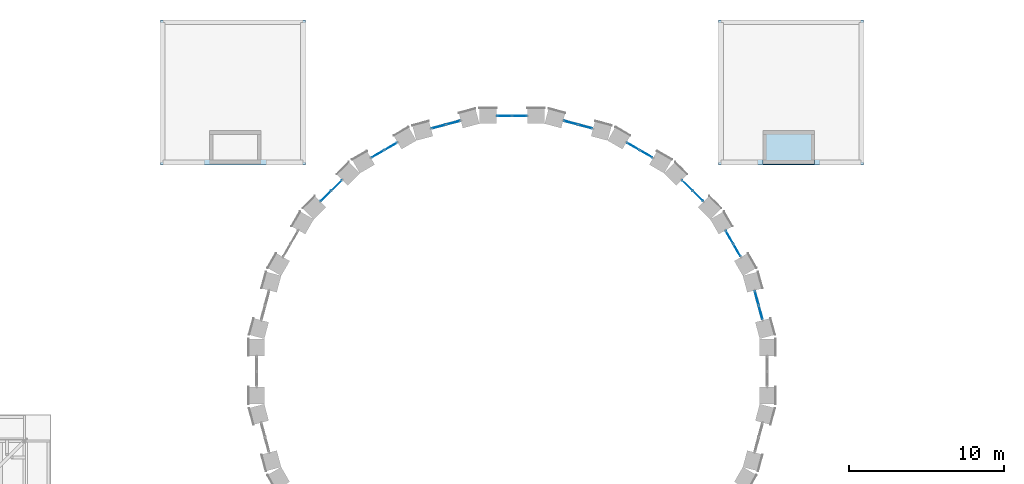
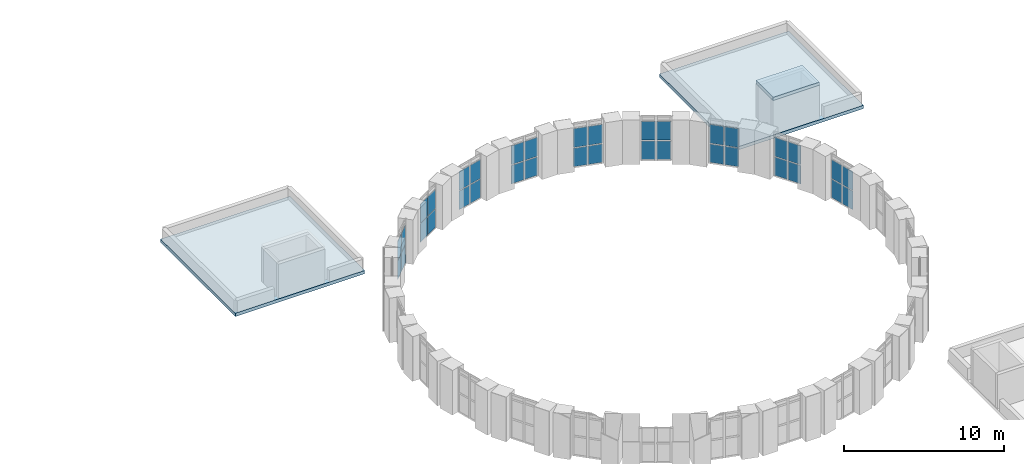
# One storey, part 21 of 42: 36 plates, 3 slabs, 9 elements without a shape of their own.
"""IFC4 building model written with IfcOpenShell, lengths in metres."""

from ifc_helpers import new_model, si_unit, direction, frame, origin, origin_2d, place, context, subcontext, project, spatial, polyline, rectangle, outline, extrude, material, layer, layer_set, type_object, element, aggregate, save


model = new_model("IFC4")

# Units and contexts
model_context = context("Model", 3, precision=1e-05, world=origin(), true_north=direction((0.0, 1.0)))
body_context = subcontext(model_context, "Body", "Model", "MODEL_VIEW")
ifc_project = project(units=[si_unit("LENGTHUNIT", "METRE"), si_unit("AREAUNIT", "SQUARE_METRE"), si_unit("VOLUMEUNIT", "CUBIC_METRE"), si_unit("PLANEANGLEUNIT", "RADIAN"), si_unit("MASSUNIT", "GRAM", prefix="KILO")], contexts=[model_context])

# Site, building, storey
site_placement = place(None, origin())
site = spatial("IfcSite", under=ifc_project, at=site_placement, CompositionType="ELEMENT")
building_placement = place(site_placement, origin())
building = spatial("IfcBuilding", under=site, at=building_placement, Name="Golden Quay Civic Hall", CompositionType="ELEMENT")
storey_placement = place(building_placement, frame((0.0, 0.0, 22.800048828125)))
storey = spatial("IfcBuildingStorey", under=building, at=storey_placement, Name="L05", CompositionType="ELEMENT", Elevation=22.800048828125)

# Slabs
ifc_material_1 = material(Name="Concrete C40/50", Category="concrete")
ifc_layer_1 = layer(ifc_material_1, 0.25)
ifc_layer_set_1 = layer_set([ifc_layer_1], Name="Core roof slab 250")
slab_type = type_object("IfcSlabType", Name="Core roof slab 250", PredefinedType="ROOF", material=ifc_layer_set_1)
slab_1_placement = place(storey_placement, frame((0.0, 0.0, -0.25)))
element("IfcSlab", 1, at=slab_1_placement, inside=storey, type_object=slab_type, Name="Core roof slab NW", PredefinedType="ROOF", context=body_context, shape_type="SweptSolid", body=[
    extrude(outline(polyline([(62.800048828125, 98.85009765625), (72.14990234375, 98.85009765625), (72.14990234375, 108.199951171875), (62.800048828125, 108.199951171875), (62.800048828125, 98.85009765625)])), origin(), (0.0, 0.0, 1.0), 0.25),
])
slab_2_placement = place(storey_placement, frame((0.0, 0.0, -0.25)))
element("IfcSlab", 2, at=slab_2_placement, inside=storey, type_object=slab_type, Name="Core roof slab NE", PredefinedType="ROOF", context=body_context, shape_type="SweptSolid", body=[
    extrude(outline(polyline([(98.85009765625, 98.85009765625), (108.199951171875, 98.85009765625), (108.199951171875, 108.199951171875), (98.85009765625, 108.199951171875), (98.85009765625, 98.85009765625)])), origin(), (0.0, 0.0, 1.0), 0.25),
])
slab_3_placement = place(storey_placement, frame((0.0, 0.0, 2.599853515625)))
element("IfcSlab", 3, at=slab_3_placement, inside=storey, type_object=slab_type, Name="Lift overrun roof NE", PredefinedType="ROOF", context=body_context, shape_type="SweptSolid", body=[
    extrude(outline(polyline([(101.699951171875, 98.89990234375), (105.050048828125, 98.89990234375), (105.050048828125, 101.050048828125), (101.699951171875, 101.050048828125), (101.699951171875, 98.89990234375)])), origin(), (0.0, 0.0, 1.0), 0.25),
])

# Curtain wall, plates
ifc_material_2 = material(Name="Glass, laminated double glazed", Category="glass")
ifc_layer_2 = layer(ifc_material_2, 0.199951171875)
ifc_layer_set_2 = layer_set([ifc_layer_2], Name="Glazed drum clerestory curtain wall")
curtain_wall_type = type_object("IfcCurtainWallType", Name="Glazed drum clerestory curtain wall", PredefinedType="NOTDEFINED", material=ifc_layer_set_2)
curtain_wall_1_placement = place(storey_placement, origin())
curtain_wall_1 = element("IfcCurtainWall", 4, at=curtain_wall_1_placement, inside=storey, type_object=curtain_wall_type, Name="Clerestory curtain wall 1", PredefinedType="NOTDEFINED")
ifc_material_3 = material(Name="Glass, laminated double glazed", Category="glass")
ifc_layer_3 = layer(ifc_material_3, 0.028076171875)
ifc_layer_set_3 = layer_set([ifc_layer_3], Name="Double glazed curtain wall panel 28")
plate_type = type_object("IfcPlateType", Name="Double glazed curtain wall panel 28", PredefinedType="CURTAIN_PANEL", material=ifc_layer_set_3)
plate_1_placement = place(storey_placement, frame((101.563232421875, 89.302001953125, 0.35986328125), z_axis=(0.0, 0.0, 1.0), x_axis=(-0.258807731996, 0.965928857556, 0.0)))
plate_1 = element("IfcPlate", 5, at=plate_1_placement, type_object=plate_type, Name="CW5 panel 1.1", PredefinedType="CURTAIN_PANEL", context=body_context, shape_type="SweptSolid", body=[
    extrude(rectangle(XDim=0.909912109375, YDim=0.028076171875, at=origin_2d()), origin(), (0.0, 0.0, 1.0), 1.409912109375),
])
plate_2_placement = place(storey_placement, frame((101.563232421875, 89.302001953125, 1.830078125), z_axis=(0.0, 0.0, 1.0), x_axis=(-0.258807731996, 0.965928857556, 0.0)))
plate_2 = element("IfcPlate", 6, at=plate_2_placement, type_object=plate_type, Name="CW5 panel 1.2", PredefinedType="CURTAIN_PANEL", context=body_context, shape_type="SweptSolid", body=[
    extrude(rectangle(XDim=0.909912109375, YDim=0.028076171875, at=origin_2d()), origin(), (0.0, 0.0, 1.0), 1.43994140625),
])
plate_3_placement = place(storey_placement, frame((101.312255859375, 90.239013671875, 0.35986328125), z_axis=(0.0, 0.0, 1.0), x_axis=(-0.258807731996, 0.965928857556, 0.0)))
plate_3 = element("IfcPlate", 7, at=plate_3_placement, type_object=plate_type, Name="CW5 panel 2.1", PredefinedType="CURTAIN_PANEL", context=body_context, shape_type="SweptSolid", body=[
    extrude(rectangle(XDim=0.909912109375, YDim=0.028076171875, at=origin_2d()), origin(), (0.0, 0.0, 1.0), 1.409912109375),
])
plate_4_placement = place(storey_placement, frame((101.312255859375, 90.239013671875, 1.830078125), z_axis=(0.0, 0.0, 1.0), x_axis=(-0.258807731996, 0.965928857556, 0.0)))
plate_4 = element("IfcPlate", 8, at=plate_4_placement, type_object=plate_type, Name="CW5 panel 2.2", PredefinedType="CURTAIN_PANEL", context=body_context, shape_type="SweptSolid", body=[
    extrude(rectangle(XDim=0.909912109375, YDim=0.028076171875, at=origin_2d()), origin(), (0.0, 0.0, 1.0), 1.43994140625),
])
aggregate(curtain_wall_1, [plate_1, plate_2, plate_3, plate_4])

curtain_wall_2_placement = place(storey_placement, origin())
curtain_wall_2 = element("IfcCurtainWall", 9, at=curtain_wall_2_placement, inside=storey, type_object=curtain_wall_type, Name="Clerestory curtain wall 2", PredefinedType="NOTDEFINED")
plate_5_placement = place(storey_placement, frame((100.031982421875, 93.330078125, 0.35986328125), z_axis=(0.0, 0.0, 1.0), x_axis=(-0.500011000366, 0.866019052627, 0.0)))
plate_5 = element("IfcPlate", 10, at=plate_5_placement, type_object=plate_type, Name="CW5 panel 1.1", PredefinedType="CURTAIN_PANEL", context=body_context, shape_type="SweptSolid", body=[
    extrude(rectangle(XDim=0.909912109375, YDim=0.028076171875, at=origin_2d()), origin(), (0.0, 0.0, 1.0), 1.409912109375),
])
plate_6_placement = place(storey_placement, frame((100.031982421875, 93.330078125, 1.830078125), z_axis=(0.0, 0.0, 1.0), x_axis=(-0.500011000366, 0.866019052627, 0.0)))
plate_6 = element("IfcPlate", 11, at=plate_6_placement, type_object=plate_type, Name="CW5 panel 1.2", PredefinedType="CURTAIN_PANEL", context=body_context, shape_type="SweptSolid", body=[
    extrude(rectangle(XDim=0.909912109375, YDim=0.028076171875, at=origin_2d()), origin(), (0.0, 0.0, 1.0), 1.43994140625),
])
plate_7_placement = place(storey_placement, frame((99.546875, 94.169921875, 0.35986328125), z_axis=(0.0, 0.0, 1.0), x_axis=(-0.500011000366, 0.866019052627, 0.0)))
plate_7 = element("IfcPlate", 12, at=plate_7_placement, type_object=plate_type, Name="CW5 panel 2.1", PredefinedType="CURTAIN_PANEL", context=body_context, shape_type="SweptSolid", body=[
    extrude(rectangle(XDim=0.909912109375, YDim=0.028076171875, at=origin_2d()), origin(), (0.0, 0.0, 1.0), 1.409912109375),
])
plate_8_placement = place(storey_placement, frame((99.546875, 94.169921875, 1.830078125), z_axis=(0.0, 0.0, 1.0), x_axis=(-0.500011000366, 0.866019052627, 0.0)))
plate_8 = element("IfcPlate", 13, at=plate_8_placement, type_object=plate_type, Name="CW5 panel 2.2", PredefinedType="CURTAIN_PANEL", context=body_context, shape_type="SweptSolid", body=[
    extrude(rectangle(XDim=0.909912109375, YDim=0.028076171875, at=origin_2d()), origin(), (0.0, 0.0, 1.0), 1.43994140625),
])
aggregate(curtain_wall_2, [plate_5, plate_6, plate_7, plate_8])

curtain_wall_3_placement = place(storey_placement, origin())
curtain_wall_3 = element("IfcCurtainWall", 14, at=curtain_wall_3_placement, inside=storey, type_object=curtain_wall_type, Name="Clerestory curtain wall 3", PredefinedType="NOTDEFINED")
plate_9_placement = place(storey_placement, frame((97.51025390625, 96.824462890625, 0.35986328125), z_axis=(0.0, 0.0, 1.0), x_axis=(-0.707106781187, 0.707106781187, 0.0)))
plate_9 = element("IfcPlate", 15, at=plate_9_placement, type_object=plate_type, Name="CW5 panel 1.1", PredefinedType="CURTAIN_PANEL", context=body_context, shape_type="SweptSolid", body=[
    extrude(rectangle(XDim=0.909912109375, YDim=0.028076171875, at=origin_2d()), origin(), (0.0, 0.0, 1.0), 1.409912109375),
])
plate_10_placement = place(storey_placement, frame((97.51025390625, 96.824462890625, 1.830078125), z_axis=(0.0, 0.0, 1.0), x_axis=(-0.707106781187, 0.707106781187, 0.0)))
plate_10 = element("IfcPlate", 16, at=plate_10_placement, type_object=plate_type, Name="CW5 panel 1.2", PredefinedType="CURTAIN_PANEL", context=body_context, shape_type="SweptSolid", body=[
    extrude(rectangle(XDim=0.909912109375, YDim=0.028076171875, at=origin_2d()), origin(), (0.0, 0.0, 1.0), 1.43994140625),
])
plate_11_placement = place(storey_placement, frame((96.824462890625, 97.51025390625, 0.35986328125), z_axis=(0.0, 0.0, 1.0), x_axis=(-0.707106781187, 0.707106781187, 0.0)))
plate_11 = element("IfcPlate", 17, at=plate_11_placement, type_object=plate_type, Name="CW5 panel 2.1", PredefinedType="CURTAIN_PANEL", context=body_context, shape_type="SweptSolid", body=[
    extrude(rectangle(XDim=0.909912109375, YDim=0.028076171875, at=origin_2d()), origin(), (0.0, 0.0, 1.0), 1.409912109375),
])
plate_12_placement = place(storey_placement, frame((96.824462890625, 97.51025390625, 1.830078125), z_axis=(0.0, 0.0, 1.0), x_axis=(-0.707106781187, 0.707106781187, 0.0)))
plate_12 = element("IfcPlate", 18, at=plate_12_placement, type_object=plate_type, Name="CW5 panel 2.2", PredefinedType="CURTAIN_PANEL", context=body_context, shape_type="SweptSolid", body=[
    extrude(rectangle(XDim=0.909912109375, YDim=0.028076171875, at=origin_2d()), origin(), (0.0, 0.0, 1.0), 1.43994140625),
])
aggregate(curtain_wall_3, [plate_9, plate_10, plate_11, plate_12])

curtain_wall_4_placement = place(storey_placement, origin())
curtain_wall_4 = element("IfcCurtainWall", 19, at=curtain_wall_4_placement, inside=storey, type_object=curtain_wall_type, Name="Clerestory curtain wall 4", PredefinedType="NOTDEFINED")
plate_13_placement = place(storey_placement, frame((94.169921875, 99.546875, 0.35986328125), z_axis=(0.0, 0.0, 1.0), x_axis=(-0.866019052627, 0.500011000366, 0.0)))
plate_13 = element("IfcPlate", 20, at=plate_13_placement, type_object=plate_type, Name="CW5 panel 1.1", PredefinedType="CURTAIN_PANEL", context=body_context, shape_type="SweptSolid", body=[
    extrude(rectangle(XDim=0.909912109375, YDim=0.028076171875, at=origin_2d()), origin(), (0.0, 0.0, 1.0), 1.409912109375),
])
plate_14_placement = place(storey_placement, frame((94.169921875, 99.546875, 1.830078125), z_axis=(0.0, 0.0, 1.0), x_axis=(-0.866019052627, 0.500011000366, 0.0)))
plate_14 = element("IfcPlate", 21, at=plate_14_placement, type_object=plate_type, Name="CW5 panel 1.2", PredefinedType="CURTAIN_PANEL", context=body_context, shape_type="SweptSolid", body=[
    extrude(rectangle(XDim=0.909912109375, YDim=0.028076171875, at=origin_2d()), origin(), (0.0, 0.0, 1.0), 1.43994140625),
])
plate_15_placement = place(storey_placement, frame((93.330078125, 100.031982421875, 0.35986328125), z_axis=(0.0, 0.0, 1.0), x_axis=(-0.866019052627, 0.500011000366, 0.0)))
plate_15 = element("IfcPlate", 22, at=plate_15_placement, type_object=plate_type, Name="CW5 panel 2.1", PredefinedType="CURTAIN_PANEL", context=body_context, shape_type="SweptSolid", body=[
    extrude(rectangle(XDim=0.909912109375, YDim=0.028076171875, at=origin_2d()), origin(), (0.0, 0.0, 1.0), 1.409912109375),
])
plate_16_placement = place(storey_placement, frame((93.330078125, 100.031982421875, 1.830078125), z_axis=(0.0, 0.0, 1.0), x_axis=(-0.866019052627, 0.500011000366, 0.0)))
plate_16 = element("IfcPlate", 23, at=plate_16_placement, type_object=plate_type, Name="CW5 panel 2.2", PredefinedType="CURTAIN_PANEL", context=body_context, shape_type="SweptSolid", body=[
    extrude(rectangle(XDim=0.909912109375, YDim=0.028076171875, at=origin_2d()), origin(), (0.0, 0.0, 1.0), 1.43994140625),
])
aggregate(curtain_wall_4, [plate_13, plate_14, plate_15, plate_16])

curtain_wall_5_placement = place(storey_placement, origin())
curtain_wall_5 = element("IfcCurtainWall", 24, at=curtain_wall_5_placement, inside=storey, type_object=curtain_wall_type, Name="Clerestory curtain wall 5", PredefinedType="NOTDEFINED")
plate_17_placement = place(storey_placement, frame((90.239013671875, 101.312255859375, 0.35986328125), z_axis=(0.0, 0.0, 1.0), x_axis=(-0.965928857556, 0.258807731996, 0.0)))
plate_17 = element("IfcPlate", 25, at=plate_17_placement, type_object=plate_type, Name="CW5 panel 1.1", PredefinedType="CURTAIN_PANEL", context=body_context, shape_type="SweptSolid", body=[
    extrude(rectangle(XDim=0.909912109375, YDim=0.028076171875, at=origin_2d()), origin(), (0.0, 0.0, 1.0), 1.409912109375),
])
plate_18_placement = place(storey_placement, frame((90.239013671875, 101.312255859375, 1.830078125), z_axis=(0.0, 0.0, 1.0), x_axis=(-0.965928857556, 0.258807731996, 0.0)))
plate_18 = element("IfcPlate", 26, at=plate_18_placement, type_object=plate_type, Name="CW5 panel 1.2", PredefinedType="CURTAIN_PANEL", context=body_context, shape_type="SweptSolid", body=[
    extrude(rectangle(XDim=0.909912109375, YDim=0.028076171875, at=origin_2d()), origin(), (0.0, 0.0, 1.0), 1.43994140625),
])
plate_19_placement = place(storey_placement, frame((89.302001953125, 101.563232421875, 0.35986328125), z_axis=(0.0, 0.0, 1.0), x_axis=(-0.965928857556, 0.258807731996, 0.0)))
plate_19 = element("IfcPlate", 27, at=plate_19_placement, type_object=plate_type, Name="CW5 panel 2.1", PredefinedType="CURTAIN_PANEL", context=body_context, shape_type="SweptSolid", body=[
    extrude(rectangle(XDim=0.909912109375, YDim=0.028076171875, at=origin_2d()), origin(), (0.0, 0.0, 1.0), 1.409912109375),
])
plate_20_placement = place(storey_placement, frame((89.302001953125, 101.563232421875, 1.830078125), z_axis=(0.0, 0.0, 1.0), x_axis=(-0.965928857556, 0.258807731996, 0.0)))
plate_20 = element("IfcPlate", 28, at=plate_20_placement, type_object=plate_type, Name="CW5 panel 2.2", PredefinedType="CURTAIN_PANEL", context=body_context, shape_type="SweptSolid", body=[
    extrude(rectangle(XDim=0.909912109375, YDim=0.028076171875, at=origin_2d()), origin(), (0.0, 0.0, 1.0), 1.43994140625),
])
aggregate(curtain_wall_5, [plate_17, plate_18, plate_19, plate_20])

curtain_wall_6_placement = place(storey_placement, origin())
curtain_wall_6 = element("IfcCurtainWall", 29, at=curtain_wall_6_placement, inside=storey, type_object=curtain_wall_type, Name="Clerestory curtain wall 6", PredefinedType="NOTDEFINED")
plate_21_placement = place(storey_placement, frame((85.985107421875, 102.0, 0.35986328125), z_axis=(0.0, 0.0, 1.0), x_axis=(-1.0, 0.0, 0.0)))
plate_21 = element("IfcPlate", 30, at=plate_21_placement, type_object=plate_type, Name="CW5 panel 1.1", PredefinedType="CURTAIN_PANEL", context=body_context, shape_type="SweptSolid", body=[
    extrude(rectangle(XDim=0.909912109375, YDim=0.028076171875, at=origin_2d()), origin(), (0.0, 0.0, 1.0), 1.409912109375),
])
plate_22_placement = place(storey_placement, frame((85.985107421875, 102.0, 1.830078125), z_axis=(0.0, 0.0, 1.0), x_axis=(-1.0, 0.0, 0.0)))
plate_22 = element("IfcPlate", 31, at=plate_22_placement, type_object=plate_type, Name="CW5 panel 1.2", PredefinedType="CURTAIN_PANEL", context=body_context, shape_type="SweptSolid", body=[
    extrude(rectangle(XDim=0.909912109375, YDim=0.028076171875, at=origin_2d()), origin(), (0.0, 0.0, 1.0), 1.43994140625),
])
plate_23_placement = place(storey_placement, frame((85.014892578125, 102.0, 0.35986328125), z_axis=(0.0, 0.0, 1.0), x_axis=(-1.0, 0.0, 0.0)))
plate_23 = element("IfcPlate", 32, at=plate_23_placement, type_object=plate_type, Name="CW5 panel 2.1", PredefinedType="CURTAIN_PANEL", context=body_context, shape_type="SweptSolid", body=[
    extrude(rectangle(XDim=0.909912109375, YDim=0.028076171875, at=origin_2d()), origin(), (0.0, 0.0, 1.0), 1.409912109375),
])
plate_24_placement = place(storey_placement, frame((85.014892578125, 102.0, 1.830078125), z_axis=(0.0, 0.0, 1.0), x_axis=(-1.0, 0.0, 0.0)))
plate_24 = element("IfcPlate", 33, at=plate_24_placement, type_object=plate_type, Name="CW5 panel 2.2", PredefinedType="CURTAIN_PANEL", context=body_context, shape_type="SweptSolid", body=[
    extrude(rectangle(XDim=0.909912109375, YDim=0.028076171875, at=origin_2d()), origin(), (0.0, 0.0, 1.0), 1.43994140625),
])
aggregate(curtain_wall_6, [plate_21, plate_22, plate_23, plate_24])

curtain_wall_7_placement = place(storey_placement, origin())
curtain_wall_7 = element("IfcCurtainWall", 34, at=curtain_wall_7_placement, inside=storey, type_object=curtain_wall_type, Name="Clerestory curtain wall 7", PredefinedType="NOTDEFINED")
plate_25_placement = place(storey_placement, frame((81.697998046875, 101.563232421875, 0.35986328125), z_axis=(0.0, 0.0, 1.0), x_axis=(-0.965928857556, -0.258807731996, 0.0)))
plate_25 = element("IfcPlate", 35, at=plate_25_placement, type_object=plate_type, Name="CW5 panel 1.1", PredefinedType="CURTAIN_PANEL", context=body_context, shape_type="SweptSolid", body=[
    extrude(rectangle(XDim=0.909912109375, YDim=0.028076171875, at=origin_2d()), origin(), (0.0, 0.0, 1.0), 1.409912109375),
])
plate_26_placement = place(storey_placement, frame((81.697998046875, 101.563232421875, 1.830078125), z_axis=(0.0, 0.0, 1.0), x_axis=(-0.965928857556, -0.258807731996, 0.0)))
plate_26 = element("IfcPlate", 36, at=plate_26_placement, type_object=plate_type, Name="CW5 panel 1.2", PredefinedType="CURTAIN_PANEL", context=body_context, shape_type="SweptSolid", body=[
    extrude(rectangle(XDim=0.909912109375, YDim=0.028076171875, at=origin_2d()), origin(), (0.0, 0.0, 1.0), 1.43994140625),
])
plate_27_placement = place(storey_placement, frame((80.760986328125, 101.312255859375, 0.35986328125), z_axis=(0.0, 0.0, 1.0), x_axis=(-0.965928857556, -0.258807731996, 0.0)))
plate_27 = element("IfcPlate", 37, at=plate_27_placement, type_object=plate_type, Name="CW5 panel 2.1", PredefinedType="CURTAIN_PANEL", context=body_context, shape_type="SweptSolid", body=[
    extrude(rectangle(XDim=0.909912109375, YDim=0.028076171875, at=origin_2d()), origin(), (0.0, 0.0, 1.0), 1.409912109375),
])
plate_28_placement = place(storey_placement, frame((80.760986328125, 101.312255859375, 1.830078125), z_axis=(0.0, 0.0, 1.0), x_axis=(-0.965928857556, -0.258807731996, 0.0)))
plate_28 = element("IfcPlate", 38, at=plate_28_placement, type_object=plate_type, Name="CW5 panel 2.2", PredefinedType="CURTAIN_PANEL", context=body_context, shape_type="SweptSolid", body=[
    extrude(rectangle(XDim=0.909912109375, YDim=0.028076171875, at=origin_2d()), origin(), (0.0, 0.0, 1.0), 1.43994140625),
])
aggregate(curtain_wall_7, [plate_25, plate_26, plate_27, plate_28])

curtain_wall_8_placement = place(storey_placement, origin())
curtain_wall_8 = element("IfcCurtainWall", 39, at=curtain_wall_8_placement, inside=storey, type_object=curtain_wall_type, Name="Clerestory curtain wall 8", PredefinedType="NOTDEFINED")
plate_29_placement = place(storey_placement, frame((77.669921875, 100.031982421875, 0.35986328125), z_axis=(0.0, 0.0, 1.0), x_axis=(-0.866019052627, -0.500011000366, 0.0)))
plate_29 = element("IfcPlate", 40, at=plate_29_placement, type_object=plate_type, Name="CW5 panel 1.1", PredefinedType="CURTAIN_PANEL", context=body_context, shape_type="SweptSolid", body=[
    extrude(rectangle(XDim=0.909912109375, YDim=0.028076171875, at=origin_2d()), origin(), (0.0, 0.0, 1.0), 1.409912109375),
])
plate_30_placement = place(storey_placement, frame((77.669921875, 100.031982421875, 1.830078125), z_axis=(0.0, 0.0, 1.0), x_axis=(-0.866019052627, -0.500011000366, 0.0)))
plate_30 = element("IfcPlate", 41, at=plate_30_placement, type_object=plate_type, Name="CW5 panel 1.2", PredefinedType="CURTAIN_PANEL", context=body_context, shape_type="SweptSolid", body=[
    extrude(rectangle(XDim=0.909912109375, YDim=0.028076171875, at=origin_2d()), origin(), (0.0, 0.0, 1.0), 1.43994140625),
])
plate_31_placement = place(storey_placement, frame((76.830078125, 99.546875, 0.35986328125), z_axis=(0.0, 0.0, 1.0), x_axis=(-0.866019052627, -0.500011000366, 0.0)))
plate_31 = element("IfcPlate", 42, at=plate_31_placement, type_object=plate_type, Name="CW5 panel 2.1", PredefinedType="CURTAIN_PANEL", context=body_context, shape_type="SweptSolid", body=[
    extrude(rectangle(XDim=0.909912109375, YDim=0.028076171875, at=origin_2d()), origin(), (0.0, 0.0, 1.0), 1.409912109375),
])
plate_32_placement = place(storey_placement, frame((76.830078125, 99.546875, 1.830078125), z_axis=(0.0, 0.0, 1.0), x_axis=(-0.866019052627, -0.500011000366, 0.0)))
plate_32 = element("IfcPlate", 43, at=plate_32_placement, type_object=plate_type, Name="CW5 panel 2.2", PredefinedType="CURTAIN_PANEL", context=body_context, shape_type="SweptSolid", body=[
    extrude(rectangle(XDim=0.909912109375, YDim=0.028076171875, at=origin_2d()), origin(), (0.0, 0.0, 1.0), 1.43994140625),
])
aggregate(curtain_wall_8, [plate_29, plate_30, plate_31, plate_32])

curtain_wall_9_placement = place(storey_placement, origin())
curtain_wall_9 = element("IfcCurtainWall", 44, at=curtain_wall_9_placement, inside=storey, type_object=curtain_wall_type, Name="Clerestory curtain wall 9", PredefinedType="NOTDEFINED")
plate_33_placement = place(storey_placement, frame((74.175537109375, 97.51025390625, 0.35986328125), z_axis=(0.0, 0.0, 1.0), x_axis=(-0.707106781187, -0.707106781187, 0.0)))
plate_33 = element("IfcPlate", 45, at=plate_33_placement, type_object=plate_type, Name="CW5 panel 1.1", PredefinedType="CURTAIN_PANEL", context=body_context, shape_type="SweptSolid", body=[
    extrude(rectangle(XDim=0.909912109375, YDim=0.028076171875, at=origin_2d()), origin(), (0.0, 0.0, 1.0), 1.409912109375),
])
plate_34_placement = place(storey_placement, frame((74.175537109375, 97.51025390625, 1.830078125), z_axis=(0.0, 0.0, 1.0), x_axis=(-0.707106781187, -0.707106781187, 0.0)))
plate_34 = element("IfcPlate", 46, at=plate_34_placement, type_object=plate_type, Name="CW5 panel 1.2", PredefinedType="CURTAIN_PANEL", context=body_context, shape_type="SweptSolid", body=[
    extrude(rectangle(XDim=0.909912109375, YDim=0.028076171875, at=origin_2d()), origin(), (0.0, 0.0, 1.0), 1.43994140625),
])
plate_35_placement = place(storey_placement, frame((73.48974609375, 96.824462890625, 0.35986328125), z_axis=(0.0, 0.0, 1.0), x_axis=(-0.707106781187, -0.707106781187, 0.0)))
plate_35 = element("IfcPlate", 47, at=plate_35_placement, type_object=plate_type, Name="CW5 panel 2.1", PredefinedType="CURTAIN_PANEL", context=body_context, shape_type="SweptSolid", body=[
    extrude(rectangle(XDim=0.909912109375, YDim=0.028076171875, at=origin_2d()), origin(), (0.0, 0.0, 1.0), 1.409912109375),
])
plate_36_placement = place(storey_placement, frame((73.48974609375, 96.824462890625, 1.830078125), z_axis=(0.0, 0.0, 1.0), x_axis=(-0.707106781187, -0.707106781187, 0.0)))
plate_36 = element("IfcPlate", 48, at=plate_36_placement, type_object=plate_type, Name="CW5 panel 2.2", PredefinedType="CURTAIN_PANEL", context=body_context, shape_type="SweptSolid", body=[
    extrude(rectangle(XDim=0.909912109375, YDim=0.028076171875, at=origin_2d()), origin(), (0.0, 0.0, 1.0), 1.43994140625),
])
aggregate(curtain_wall_9, [plate_33, plate_34, plate_35, plate_36])

save(model, "model.ifc")
